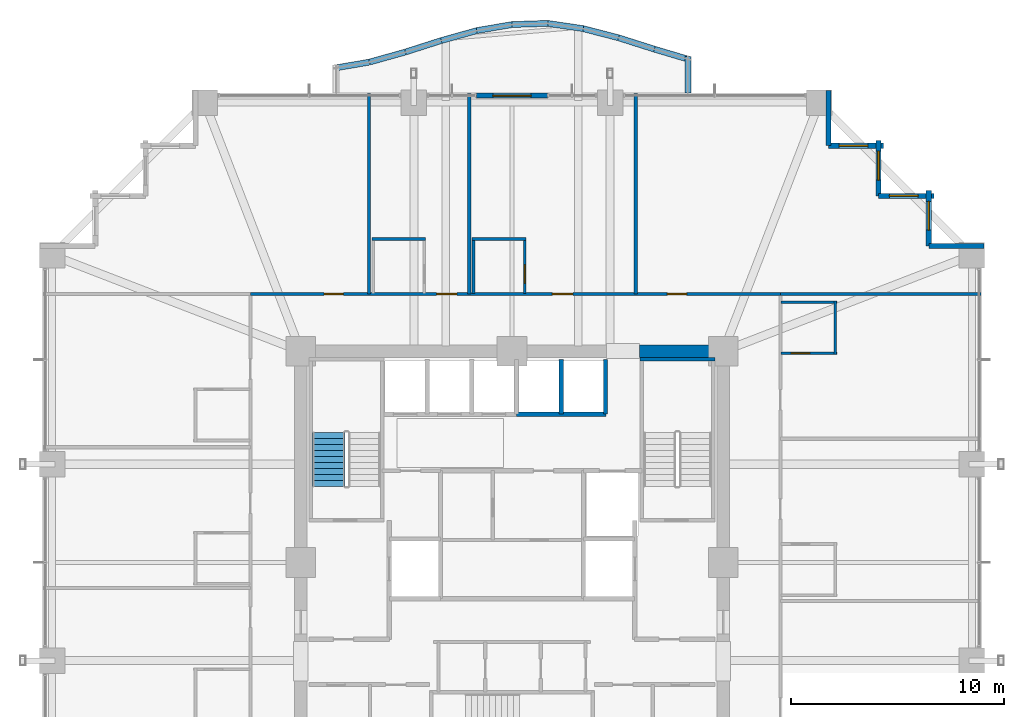
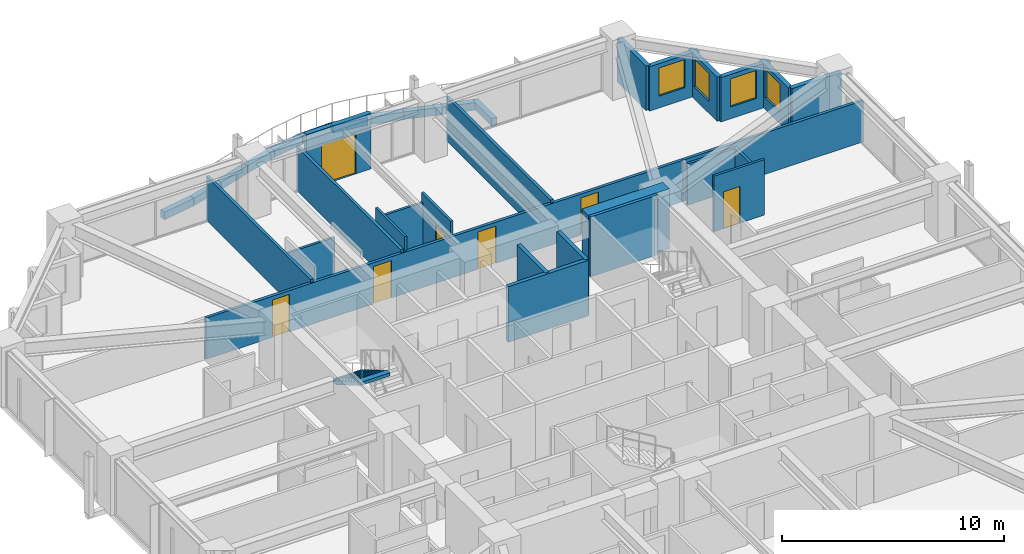
# One storey, part 35 of 38: 35 walls, 7 doors, 4 windows, 1 stair flight, 11 openings, 1 element without a shape of its own.
"""IFC4 building model written with IfcOpenShell, lengths in metres."""

from ifc_helpers import new_model, si_unit, direction, frame, frame_2d, origin, place, context, subcontext, project, spatial, polyline, rectangle, outline, extrude, material, layer, layer_set, type_object, element, fill, aggregate, save


model = new_model("IFC4")

# Units and contexts
model_context = context("Model", 3, precision=1e-05, world=origin(), true_north=direction((0.0, 1.0)))
body_context = subcontext(model_context, "Body", "Model", "MODEL_VIEW")
ifc_project = project(units=[si_unit("LENGTHUNIT", "METRE"), si_unit("AREAUNIT", "SQUARE_METRE"), si_unit("VOLUMEUNIT", "CUBIC_METRE"), si_unit("PLANEANGLEUNIT", "RADIAN"), si_unit("MASSUNIT", "GRAM", prefix="KILO")], contexts=[model_context])

# Site, building, storey
site_placement = place(None, origin())
site = spatial("IfcSite", under=ifc_project, at=site_placement, CompositionType="ELEMENT")
building_placement = place(site_placement, origin())
building = spatial("IfcBuilding", under=site, at=building_placement, Name="Kolvaren Belvedere", CompositionType="ELEMENT")
storey_placement = place(building_placement, frame((0.0, 0.0, 50.199951171875)))
storey = spatial("IfcBuildingStorey", under=building, at=storey_placement, Name="L14", CompositionType="ELEMENT", Elevation=50.199951171875)

# Walls
ifc_material_1 = material(Name="Concrete C60/75", Category="concrete")
ifc_layer_1 = layer(ifc_material_1, 0.60009765625)
ifc_layer_set_1 = layer_set([ifc_layer_1], Name="Concrete C60/75")
wall_type_1 = type_object("IfcWallType", Name="CW-CORE-600", PredefinedType="SHEAR", material=ifc_layer_set_1)
wall_1_placement = place(storey_placement, frame((5.97998046875, 9.89990234375, 0.0), z_axis=(0.0, 0.0, 1.0), x_axis=(1.0, 0.0, 0.0)))
element("IfcWall", 1, at=wall_1_placement, inside=storey, type_object=wall_type_1, Name="L14 North Core Shear Wall 2", PredefinedType="SHEAR", context=body_context, shape_type="SweptSolid", body=[
    extrude(rectangle(XDim=4.219970703125, YDim=0.60009765625, at=frame_2d((2.10986328125, 0.0))), origin(), (0.0, 0.0, 1.0), 3.300048828125),
])
ifc_material_2 = material(Name="Concrete C50/60", Category="concrete")
ifc_layer_2 = layer(ifc_material_2, 0.159912109375)
ifc_layer_set_2 = layer_set([ifc_layer_2], Name="Concrete C50/60")
wall_type_2 = type_object("IfcWallType", Name="CW-STAIR-160", PredefinedType="SHEAR", material=ifc_layer_set_2)
wall_2_placement = place(storey_placement, frame((6.0, 9.530029296875, 0.0), z_axis=(0.0, 0.0, 1.0), x_axis=(1.0, 0.0, 0.0)))
element("IfcWall", 2, at=wall_2_placement, inside=storey, type_object=wall_type_2, Name="L14 Stair ST-2 North Shear Wall", PredefinedType="SHEAR", context=body_context, shape_type="SweptSolid", body=[
    extrude(rectangle(XDim=3.52001953125, YDim=0.159912109375, at=frame_2d((1.760009765625, 0.0))), origin(), (0.0, 0.0, 1.0), 3.300048828125),
])

# Wall, openings, doors
ifc_material_3 = material(Name="Gypsum fire-rated partition assembly", Category="gypsum")
ifc_layer_3 = layer(ifc_material_3, 0.14990234375)
ifc_layer_set_3 = layer_set([ifc_layer_3], Name="Gypsum fire-rated partition assembly")
wall_type_3 = type_object("IfcWallType", Name="WL-CORR-150", PredefinedType="PARTITIONING", material=ifc_layer_set_3)
wall_3_placement = place(storey_placement, frame((-12.260009765625, 12.580078125, 0.0), z_axis=(0.0, 0.0, 1.0), x_axis=(1.0, 0.0, 0.0)))
wall_3 = element("IfcWall", 3, at=wall_3_placement, inside=storey, type_object=wall_type_3, Name="L14 North Corridor Wall", PredefinedType="PARTITIONING", context=body_context, shape_type="SweptSolid", body=[
    extrude(rectangle(XDim=24.840087890625, YDim=0.14990234375, at=frame_2d((12.419921875, 0.0))), origin(), (0.0, 0.0, 1.0), 2.27197265625),
])
opening_1_placement = place(wall_3_placement, frame((3.4619140625, 0.0, 0.0)))
opening_1 = element("IfcOpeningElement", 4, at=opening_1_placement, cuts=wall_3, Name="Opening D-INT90", PredefinedType="OPENING", context=body_context, shape_type="SweptSolid", body=[
    extrude(rectangle(XDim=0.89990234375, YDim=2.06005859375, at=frame_2d((0.449951171875, 1.030029296875))), frame((0.0, 0.0849609375, 0.0), z_axis=(0.0, -1.0, 0.0), x_axis=(1.0, 0.0, 0.0)), (0.0, 0.0, 1.0), 0.169921875),
])
opening_2_placement = place(wall_3_placement, frame((8.72314453125, 0.0, 0.0)))
opening_2 = element("IfcOpeningElement", 5, at=opening_2_placement, cuts=wall_3, Name="Opening D-FD60", PredefinedType="OPENING", context=body_context, shape_type="SweptSolid", body=[
    extrude(rectangle(XDim=0.949951171875, YDim=2.06005859375, at=frame_2d((0.47509765625, 1.030029296875))), frame((0.0, 0.0849609375, 0.0), z_axis=(0.0, -1.0, 0.0), x_axis=(1.0, 0.0, 0.0)), (0.0, 0.0, 1.0), 0.169921875),
])
opening_3_placement = place(wall_3_placement, frame((14.157470703125, 0.0, 0.0)))
opening_3 = element("IfcOpeningElement", 6, at=opening_3_placement, cuts=wall_3, Name="Opening D-FD60", PredefinedType="OPENING", context=body_context, shape_type="SweptSolid", body=[
    extrude(rectangle(XDim=0.949951171875, YDim=2.06005859375, at=frame_2d((0.47509765625, 1.030029296875))), frame((0.0, 0.0849609375, 0.0), z_axis=(0.0, -1.0, 0.0), x_axis=(1.0, 0.0, 0.0)), (0.0, 0.0, 1.0), 0.169921875),
])
opening_4_placement = place(wall_3_placement, frame((19.5419921875, 0.0, 0.0)))
opening_4 = element("IfcOpeningElement", 7, at=opening_4_placement, cuts=wall_3, Name="Opening D-INT90", PredefinedType="OPENING", context=body_context, shape_type="SweptSolid", body=[
    extrude(rectangle(XDim=0.89990234375, YDim=2.06005859375, at=frame_2d((0.449951171875, 1.030029296875))), frame((0.0, 0.0849609375, 0.0), z_axis=(0.0, -1.0, 0.0), x_axis=(1.0, 0.0, 0.0)), (0.0, 0.0, 1.0), 0.169921875),
])
ifc_material_4 = material(Name="Acoustic white-oak fire door leaf", Category="timber")
door_type_1 = type_object("IfcDoorType", Name="DR-FD60-950", OperationType="NOTDEFINED", PredefinedType="DOOR", material=ifc_material_4)
door_1_placement = place(opening_2_placement, origin())
door_1 = element("IfcDoor", 8, at=door_1_placement, inside=storey, type_object=door_type_1, Name="L14 Botanical Hospitality Suite 1413 Entry Door", OperationType="SINGLE_SWING_LEFT", OverallHeight=2.06005859375, OverallWidth=0.949951171875, PredefinedType="DOOR", context=body_context, shape_type="SweptSolid", body=[
    extrude(rectangle(XDim=0.949951171875, YDim=2.06005859375, at=frame_2d((0.47509765625, 1.030029296875))), frame((0.0, 0.02490234375, 0.0), z_axis=(0.0, -1.0, 0.0), x_axis=(1.0, 0.0, 0.0)), (0.0, 0.0, 1.0), 0.050048828125),
])
fill(opening_2, door_1)
door_2_placement = place(opening_3_placement, origin())
door_2 = element("IfcDoor", 9, at=door_2_placement, inside=storey, type_object=door_type_1, Name="L14 Botanical Hospitality Suite 1414 Entry Door", OperationType="SINGLE_SWING_LEFT", OverallHeight=2.06005859375, OverallWidth=0.949951171875, PredefinedType="DOOR", context=body_context, shape_type="SweptSolid", body=[
    extrude(rectangle(XDim=0.949951171875, YDim=2.06005859375, at=frame_2d((0.47509765625, 1.030029296875))), frame((0.0, 0.02490234375, 0.0), z_axis=(0.0, -1.0, 0.0), x_axis=(1.0, 0.0, 0.0)), (0.0, 0.0, 1.0), 0.050048828125),
])
fill(opening_3, door_2)
ifc_material_5 = material(Name="Stained Pacific white oak", Category="timber")
door_type_2 = type_object("IfcDoorType", Name="DR-INT-900", OperationType="NOTDEFINED", PredefinedType="DOOR", material=ifc_material_5)
door_3_placement = place(opening_1_placement, origin())
door_3 = element("IfcDoor", 10, at=door_3_placement, inside=storey, type_object=door_type_2, Name="L14 Lounge 1412 Door", OperationType="SINGLE_SWING_LEFT", OverallHeight=2.06005859375, OverallWidth=0.89990234375, PredefinedType="DOOR", context=body_context, shape_type="SweptSolid", body=[
    extrude(rectangle(XDim=0.89990234375, YDim=2.06005859375, at=frame_2d((0.449951171875, 1.030029296875))), frame((0.0, 0.02490234375, 0.0), z_axis=(0.0, -1.0, 0.0), x_axis=(1.0, 0.0, 0.0)), (0.0, 0.0, 1.0), 0.050048828125),
])
fill(opening_1, door_3)
door_4_placement = place(opening_4_placement, origin())
door_4 = element("IfcDoor", 11, at=door_4_placement, inside=storey, type_object=door_type_2, Name="L14 Lounge 1415 Door", OperationType="SINGLE_SWING_RIGHT", OverallHeight=2.06005859375, OverallWidth=0.89990234375, PredefinedType="DOOR", context=body_context, shape_type="SweptSolid", body=[
    extrude(rectangle(XDim=0.89990234375, YDim=2.06005859375, at=frame_2d((0.449951171875, 1.030029296875))), frame((0.0, 0.02490234375, 0.0), z_axis=(0.0, -1.0, 0.0), x_axis=(1.0, 0.0, 0.0)), (0.0, 0.0, 1.0), 0.050048828125),
])
fill(opening_4, door_4)

# Wall
ifc_material_6 = material(Name="Insulated pale-metal facade wall assembly", Category="aluminium")
ifc_layer_4 = layer(ifc_material_6, 0.239990234375)
ifc_layer_set_4 = layer_set([ifc_layer_4], Name="Insulated pale-metal facade wall assembly")
wall_type_4 = type_object("IfcWallType", Name="WL-EXT-240", PredefinedType="STANDARD", material=ifc_layer_set_4)
wall_4_placement = place(storey_placement, frame((19.530029296875, 14.830078125, 0.0), z_axis=(0.0, 0.0, 1.0), x_axis=(1.0, 0.0, 0.0)))
element("IfcWall", 12, at=wall_4_placement, inside=storey, type_object=wall_type_4, Name="L14 Serrated Corner Facade Wall 9", PredefinedType="STANDARD", context=body_context, shape_type="SweptSolid", body=[
    extrude(rectangle(XDim=2.590087890625, YDim=0.239990234375, at=frame_2d((1.294921875, 0.0))), origin(), (0.0, 0.0, 1.0), 2.43896484375),
])

# Wall, opening, window
wall_5_placement = place(storey_placement, frame((19.530029296875, 17.419921875, 0.0), z_axis=(0.0, 0.0, 1.0), x_axis=(0.0, -1.0, 0.0)))
wall_5 = element("IfcWall", 13, at=wall_5_placement, inside=storey, type_object=wall_type_4, Name="L14 Serrated Corner Facade Wall 10", PredefinedType="STANDARD", context=body_context, shape_type="SweptSolid", body=[
    extrude(rectangle(XDim=2.58984375, YDim=0.239990234375, at=frame_2d((1.294921875, 0.0))), origin(), (0.0, 0.0, 1.0), 2.43896484375),
])
opening_5_placement = place(wall_5_placement, frame((0.5, 0.0, 0.64990234375)))
opening_5 = element("IfcOpeningElement", 14, at=opening_5_placement, cuts=wall_5, Name="Opening W-1350", PredefinedType="OPENING", context=body_context, shape_type="SweptSolid", body=[
    extrude(rectangle(XDim=1.35009765625, YDim=1.550048828125, at=frame_2d((0.675048828125, 0.77490234375))), frame((0.0, 0.1298828125, 0.0), z_axis=(0.0, -1.0, 0.0), x_axis=(1.0, 0.0, 0.0)), (0.0, 0.0, 1.0), 0.260009765625),
])
ifc_material_7 = material(Name="Low-iron triple insulated glass", Category="glass")
window_type = type_object("IfcWindowType", Name="WN-CORN-1350", PartitioningType="SINGLE_PANEL", PredefinedType="WINDOW", material=ifc_material_7)
window_1_placement = place(opening_5_placement, origin())
window_1 = element("IfcWindow", 15, at=window_1_placement, inside=storey, type_object=window_type, Name="L14 Serrated Corner Vision Window 10", OverallHeight=1.550048828125, OverallWidth=1.35009765625, PartitioningType="SINGLE_PANEL", PredefinedType="WINDOW", context=body_context, shape_type="SweptSolid", body=[
    extrude(rectangle(XDim=1.35009765625, YDim=1.550048828125, at=frame_2d((0.675048828125, 0.77490234375))), frame((0.0, 0.030029296875, 0.0), z_axis=(0.0, -1.0, 0.0), x_axis=(1.0, 0.0, 0.0)), (0.0, 0.0, 1.0), 0.06005859375),
])
fill(opening_5, window_1)

wall_6_placement = place(storey_placement, frame((17.179931640625, 17.179931640625, 0.0), z_axis=(0.0, 0.0, 1.0), x_axis=(1.0, 0.0, 0.0)))
wall_6 = element("IfcWall", 16, at=wall_6_placement, inside=storey, type_object=wall_type_4, Name="L14 Serrated Corner Facade Wall 11", PredefinedType="STANDARD", context=body_context, shape_type="SweptSolid", body=[
    extrude(rectangle(XDim=2.590087890625, YDim=0.239990234375, at=frame_2d((1.294921875, 0.0))), origin(), (0.0, 0.0, 1.0), 2.43896484375),
])
opening_6_placement = place(wall_6_placement, frame((0.5, 0.0, 0.64990234375)))
opening_6 = element("IfcOpeningElement", 17, at=opening_6_placement, cuts=wall_6, Name="Opening W-1350", PredefinedType="OPENING", context=body_context, shape_type="SweptSolid", body=[
    extrude(rectangle(XDim=1.35009765625, YDim=1.550048828125, at=frame_2d((0.675048828125, 0.77490234375))), frame((0.0, 0.1298828125, 0.0), z_axis=(0.0, -1.0, 0.0), x_axis=(1.0, 0.0, 0.0)), (0.0, 0.0, 1.0), 0.260009765625),
])
window_2_placement = place(opening_6_placement, origin())
window_2 = element("IfcWindow", 18, at=window_2_placement, inside=storey, type_object=window_type, Name="L14 Serrated Corner Vision Window 11", OverallHeight=1.550048828125, OverallWidth=1.35009765625, PartitioningType="SINGLE_PANEL", PredefinedType="WINDOW", context=body_context, shape_type="SweptSolid", body=[
    extrude(rectangle(XDim=1.35009765625, YDim=1.550048828125, at=frame_2d((0.675048828125, 0.77490234375))), frame((0.0, 0.030029296875, 0.0), z_axis=(0.0, -1.0, 0.0), x_axis=(1.0, 0.0, 0.0)), (0.0, 0.0, 1.0), 0.06005859375),
])
fill(opening_6, window_2)

wall_7_placement = place(storey_placement, frame((17.179931640625, 19.77001953125, 0.0), z_axis=(0.0, 0.0, 1.0), x_axis=(0.0, -1.0, 0.0)))
wall_7 = element("IfcWall", 19, at=wall_7_placement, inside=storey, type_object=wall_type_4, Name="L14 Serrated Corner Facade Wall 12", PredefinedType="STANDARD", context=body_context, shape_type="SweptSolid", body=[
    extrude(rectangle(XDim=2.590087890625, YDim=0.239990234375, at=frame_2d((1.294921875, 0.0))), origin(), (0.0, 0.0, 1.0), 2.43896484375),
])
opening_7_placement = place(wall_7_placement, frame((0.5, 0.0, 0.64990234375)))
opening_7 = element("IfcOpeningElement", 20, at=opening_7_placement, cuts=wall_7, Name="Opening W-1350", PredefinedType="OPENING", context=body_context, shape_type="SweptSolid", body=[
    extrude(rectangle(XDim=1.35009765625, YDim=1.550048828125, at=frame_2d((0.675048828125, 0.77490234375))), frame((0.0, 0.1298828125, 0.0), z_axis=(0.0, -1.0, 0.0), x_axis=(1.0, 0.0, 0.0)), (0.0, 0.0, 1.0), 0.260009765625),
])
window_3_placement = place(opening_7_placement, origin())
window_3 = element("IfcWindow", 21, at=window_3_placement, inside=storey, type_object=window_type, Name="L14 Serrated Corner Vision Window 12", OverallHeight=1.550048828125, OverallWidth=1.35009765625, PartitioningType="SINGLE_PANEL", PredefinedType="WINDOW", context=body_context, shape_type="SweptSolid", body=[
    extrude(rectangle(XDim=1.35009765625, YDim=1.550048828125, at=frame_2d((0.675048828125, 0.77490234375))), frame((0.0, 0.030029296875, 0.0), z_axis=(0.0, -1.0, 0.0), x_axis=(1.0, 0.0, 0.0)), (0.0, 0.0, 1.0), 0.06005859375),
])
fill(opening_7, window_3)

wall_8_placement = place(storey_placement, frame((14.830078125, 19.530029296875, 0.0), z_axis=(0.0, 0.0, 1.0), x_axis=(1.0, 0.0, 0.0)))
wall_8 = element("IfcWall", 22, at=wall_8_placement, inside=storey, type_object=wall_type_4, Name="L14 Serrated Corner Facade Wall 13", PredefinedType="STANDARD", context=body_context, shape_type="SweptSolid", body=[
    extrude(rectangle(XDim=2.58984375, YDim=0.239990234375, at=frame_2d((1.294921875, 0.0))), origin(), (0.0, 0.0, 1.0), 2.43896484375),
])
opening_8_placement = place(wall_8_placement, frame((0.5, 0.0, 0.64990234375)))
opening_8 = element("IfcOpeningElement", 23, at=opening_8_placement, cuts=wall_8, Name="Opening W-1350", PredefinedType="OPENING", context=body_context, shape_type="SweptSolid", body=[
    extrude(rectangle(XDim=1.35009765625, YDim=1.550048828125, at=frame_2d((0.675048828125, 0.77490234375))), frame((0.0, 0.1298828125, 0.0), z_axis=(0.0, -1.0, 0.0), x_axis=(1.0, 0.0, 0.0)), (0.0, 0.0, 1.0), 0.260009765625),
])
window_4_placement = place(opening_8_placement, origin())
window_4 = element("IfcWindow", 24, at=window_4_placement, inside=storey, type_object=window_type, Name="L14 Serrated Corner Vision Window 13", OverallHeight=1.550048828125, OverallWidth=1.35009765625, PartitioningType="SINGLE_PANEL", PredefinedType="WINDOW", context=body_context, shape_type="SweptSolid", body=[
    extrude(rectangle(XDim=1.35009765625, YDim=1.550048828125, at=frame_2d((0.675048828125, 0.77490234375))), frame((0.0, 0.030029296875, 0.0), z_axis=(0.0, -1.0, 0.0), x_axis=(1.0, 0.0, 0.0)), (0.0, 0.0, 1.0), 0.06005859375),
])
fill(opening_8, window_4)

# Wall
wall_9_placement = place(storey_placement, frame((14.830078125, 22.1201171875, 0.0), z_axis=(0.0, 0.0, 1.0), x_axis=(0.0, -1.0, 0.0)))
element("IfcWall", 25, at=wall_9_placement, inside=storey, type_object=wall_type_4, Name="L14 Serrated Corner Facade Wall 14", PredefinedType="STANDARD", context=body_context, shape_type="SweptSolid", body=[
    extrude(rectangle(XDim=2.590087890625, YDim=0.239990234375, at=frame_2d((1.294921875, 0.0))), origin(), (0.0, 0.0, 1.0), 2.43896484375),
])

# Wall, opening, door
wall_10_placement = place(storey_placement, frame((-1.679931640625, 21.8798828125, 0.0), z_axis=(0.0, 0.0, 1.0), x_axis=(1.0, 0.0, 0.0)))
wall_10 = element("IfcWall", 26, at=wall_10_placement, inside=storey, type_object=wall_type_4, Name="L14 North Terrace Portal Wall", PredefinedType="STANDARD", context=body_context, shape_type="SweptSolid", body=[
    extrude(rectangle(XDim=3.35986328125, YDim=0.239990234375, at=frame_2d((1.679931640625, 0.0))), origin(), (0.0, 0.0, 1.0), 3.06005859375),
])
opening_9_placement = place(wall_10_placement, frame((0.780029296875, 0.0, 0.0)))
opening_9 = element("IfcOpeningElement", 27, at=opening_9_placement, cuts=wall_10, Name="Opening DB-1800", PredefinedType="OPENING", context=body_context, shape_type="SweptSolid", body=[
    extrude(rectangle(XDim=1.800048828125, YDim=2.199951171875, at=frame_2d((0.89990234375, 1.10009765625))), frame((0.0, 0.1298828125, 0.0), z_axis=(0.0, -1.0, 0.0), x_axis=(1.0, 0.0, 0.0)), (0.0, 0.0, 1.0), 0.260009765625),
])
ifc_material_8 = material(Name="Thermally broken pale-metal aluminium & low-iron glass", Category="aluminium")
door_type_3 = type_object("IfcDoorType", Name="DR-BAL-1800", OperationType="DOUBLE_DOOR_SLIDING", PredefinedType="DOOR", material=ifc_material_8)
door_5_placement = place(opening_9_placement, origin())
door_5 = element("IfcDoor", 28, at=door_5_placement, inside=storey, type_object=door_type_3, Name="L14 North Planted Terrace Sliding Door", OperationType="DOUBLE_DOOR_SLIDING", OverallHeight=2.199951171875, OverallWidth=1.800048828125, PredefinedType="DOOR", context=body_context, shape_type="SweptSolid", body=[
    extrude(rectangle(XDim=1.800048828125, YDim=2.199951171875, at=frame_2d((0.89990234375, 1.10009765625))), frame((0.0, 0.02490234375, 0.0), z_axis=(0.0, -1.0, 0.0), x_axis=(1.0, 0.0, 0.0)), (0.0, 0.0, 1.0), 0.050048828125),
])
fill(opening_9, door_5)

# Walls
ifc_material_9 = material(Name="Gypsum acoustic partition assembly", Category="gypsum")
ifc_layer_5 = layer(ifc_material_9, 0.14990234375)
ifc_layer_set_5 = layer_set([ifc_layer_5], Name="Gypsum acoustic partition assembly")
wall_type_5 = type_object("IfcWallType", Name="WL-PART-150", PredefinedType="PARTITIONING", material=ifc_layer_set_5)
wall_11_placement = place(storey_placement, frame((12.580078125, 12.580078125, 0.0), z_axis=(0.0, 0.0, 1.0), x_axis=(1.0, 0.0, 0.0)))
element("IfcWall", 29, at=wall_11_placement, inside=storey, type_object=wall_type_5, Name="L14 Wing Divider PW-L14-QNE", PredefinedType="PARTITIONING", context=body_context, shape_type="SweptSolid", body=[
    extrude(rectangle(XDim=9.39990234375, YDim=0.14990234375, at=frame_2d((4.699951171875, 0.0))), origin(), (0.0, 0.0, 1.0), 2.27197265625),
])
for number, where, z_axis, x_axis, name in (
    (30, (-6.699951171875, 12.580078125, 0.0), (0.0, 0.0, 1.0), (0.0, 1.0, 0.0), "L14 North Suite Demising Wall 1"),
    (31, (-2.0, 12.580078125, 0.0), (0.0, 0.0, 1.0), (0.0, 1.0, 0.0), "L14 North Suite Demising Wall 2"),
    (32, (5.800048828125, 12.580078125, 0.0), (0.0, 0.0, 1.0), (0.0, 1.0, 0.0), "L14 North Suite Demising Wall 3"),
):
    element("IfcWall", number, at=place(storey_placement, frame(where, z_axis=z_axis, x_axis=x_axis)), inside=storey, type_object=wall_type_5, Name=name, PredefinedType="PARTITIONING", context=body_context, shape_type="SweptSolid", body=[
        extrude(rectangle(XDim=9.39990234375, YDim=0.14990234375, at=frame_2d((4.699951171875, 0.0))), origin(), (0.0, 0.0, 1.0), 2.428955078125),
    ])
ifc_material_10 = material(Name="Precast concrete C40/50", Category="concrete")
ifc_layer_6 = layer(ifc_material_10, 0.300048828125)
ifc_layer_set_6 = layer_set([ifc_layer_6], Name="Precast concrete C40/50")
wall_type_6 = type_object("IfcWallType", Name="WL-PLANTER-300", PredefinedType="PARAPET", material=ifc_layer_set_6)
wall_12_placement = place(storey_placement, frame((8.239990234375, 22.0, -0.06005859375), z_axis=(0.0, 0.0, 1.0), x_axis=(0.0, 1.0, 0.0)))
element("IfcWall", 33, at=wall_12_placement, inside=storey, type_object=wall_type_6, Name="L14 Precast Structural Planter Wall BAL-N-11", PredefinedType="PARAPET", context=body_context, shape_type="SweptSolid", body=[
    extrude(rectangle(XDim=1.705078125, YDim=0.280029296875, at=frame_2d((0.8525390625, 0.0))), origin(), (0.0, 0.0, 1.0), 0.420166015625),
])
wall_13_placement = place(storey_placement, frame((8.3544921875, 23.5517578125, -0.06005859375), z_axis=(0.0, 0.0, 1.0), x_axis=(-0.958536356279, 0.284970268083, 0.0)))
element("IfcWall", 34, at=wall_13_placement, inside=storey, type_object=wall_type_6, Name="L14 Precast Structural Planter Wall BAL-N-12", PredefinedType="PARAPET", context=body_context, shape_type="SweptSolid", body=[
    extrude(rectangle(XDim=1.7529296875, YDim=0.280029296875, at=frame_2d((0.87646484375, 0.0))), origin(), (0.0, 0.0, 1.0), 0.420166015625),
])
wall_14_placement = place(storey_placement, frame((6.671630859375, 24.052001953125, -0.06005859375), z_axis=(0.0, 0.0, 1.0), x_axis=(-0.953142020151, 0.302523204768, 0.0)))
element("IfcWall", 35, at=wall_14_placement, inside=storey, type_object=wall_type_6, Name="L14 Precast Structural Planter Wall BAL-N-13", PredefinedType="PARAPET", context=body_context, shape_type="SweptSolid", body=[
    extrude(rectangle(XDim=1.762451171875, YDim=0.280029296875, at=frame_2d((0.88134765625, 0.0))), origin(), (0.0, 0.0, 1.0), 0.420166015625),
])
wall_15_placement = place(storey_placement, frame((5.0, 24.582763671875, -0.06005859375), z_axis=(0.0, 0.0, 1.0), x_axis=(-0.968141031826, 0.250405556038, 0.0)))
element("IfcWall", 36, at=wall_15_placement, inside=storey, type_object=wall_type_6, Name="L14 Precast Structural Planter Wall BAL-N-14", PredefinedType="PARAPET", context=body_context, shape_type="SweptSolid", body=[
    extrude(rectangle(XDim=1.7353515625, YDim=0.280029296875, at=frame_2d((0.86767578125, 0.0))), origin(), (0.0, 0.0, 1.0), 0.420166015625),
])
wall_16_placement = place(storey_placement, frame((3.336669921875, 25.013916015625, -0.06005859375), z_axis=(0.0, 0.0, 1.0), x_axis=(-0.989295127716, 0.145928579368, 0.0)))
element("IfcWall", 37, at=wall_16_placement, inside=storey, type_object=wall_type_6, Name="L14 Precast Structural Planter Wall BAL-N-15", PredefinedType="PARAPET", context=body_context, shape_type="SweptSolid", body=[
    extrude(rectangle(XDim=1.697998046875, YDim=0.280029296875, at=frame_2d((0.84912109375, 0.0))), origin(), (0.0, 0.0, 1.0), 0.420166015625),
])
wall_17_placement = place(storey_placement, frame((1.68505859375, 25.260009765625, -0.06005859375), z_axis=(0.0, 0.0, 1.0), x_axis=(-0.999507816048, -0.031370777138, 0.0)))
element("IfcWall", 38, at=wall_17_placement, inside=storey, type_object=wall_type_6, Name="L14 Precast Structural Planter Wall BAL-N-16", PredefinedType="PARAPET", context=body_context, shape_type="SweptSolid", body=[
    extrude(rectangle(XDim=1.680908203125, YDim=0.280029296875, at=frame_2d((0.84033203125, 0.0))), origin(), (0.0, 0.0, 1.0), 0.420166015625),
])
wall_18_placement = place(storey_placement, frame((0.027099609375, 25.20947265625, -0.06005859375), z_axis=(0.0, 0.0, 1.0), x_axis=(-0.985640648378, -0.168856484225, 0.0)))
element("IfcWall", 39, at=wall_18_placement, inside=storey, type_object=wall_type_6, Name="L14 Precast Structural Planter Wall BAL-N-17", PredefinedType="PARAPET", context=body_context, shape_type="SweptSolid", body=[
    extrude(rectangle(XDim=1.70458984375, YDim=0.280029296875, at=frame_2d((0.852294921875, 0.0))), origin(), (0.0, 0.0, 1.0), 0.420166015625),
])
wall_19_placement = place(storey_placement, frame((-1.63671875, 24.92529296875, -0.06005859375), z_axis=(0.0, 0.0, 1.0), x_axis=(-0.962926227834, -0.269764860108, 0.0)))
element("IfcWall", 40, at=wall_19_placement, inside=storey, type_object=wall_type_6, Name="L14 Precast Structural Planter Wall BAL-N-18", PredefinedType="PARAPET", context=body_context, shape_type="SweptSolid", body=[
    extrude(rectangle(XDim=1.744873046875, YDim=0.280029296875, at=frame_2d((0.87255859375, 0.0))), origin(), (0.0, 0.0, 1.0), 0.420166015625),
])
wall_20_placement = place(storey_placement, frame((-3.311279296875, 24.456298828125, -0.06005859375), z_axis=(0.0, 0.0, 1.0), x_axis=(-0.952461105499, -0.304660208284, 0.0)))
element("IfcWall", 41, at=wall_20_placement, inside=storey, type_object=wall_type_6, Name="L14 Precast Structural Planter Wall BAL-N-19", PredefinedType="PARAPET", context=body_context, shape_type="SweptSolid", body=[
    extrude(rectangle(XDim=1.763671875, YDim=0.280029296875, at=frame_2d((0.8818359375, 0.0))), origin(), (0.0, 0.0, 1.0), 0.420166015625),
])
wall_21_placement = place(storey_placement, frame((-4.996826171875, 23.917236328125, -0.06005859375), z_axis=(0.0, 0.0, 1.0), x_axis=(-0.962916043401, -0.269801210823, 0.0)))
element("IfcWall", 42, at=wall_21_placement, inside=storey, type_object=wall_type_6, Name="L14 Precast Structural Planter Wall BAL-N-20", PredefinedType="PARAPET", context=body_context, shape_type="SweptSolid", body=[
    extrude(rectangle(XDim=1.74462890625, YDim=0.280029296875, at=frame_2d((0.872314453125, 0.0))), origin(), (0.0, 0.0, 1.0), 0.420166015625),
])
wall_22_placement = place(storey_placement, frame((-6.693115234375, 23.443115234375, -0.06005859375), z_axis=(0.0, 0.0, 1.0), x_axis=(-0.985636563949, -0.16888032392, 0.0)))
element("IfcWall", 43, at=wall_22_placement, inside=storey, type_object=wall_type_6, Name="L14 Precast Structural Planter Wall BAL-N-21", PredefinedType="PARAPET", context=body_context, shape_type="SweptSolid", body=[
    extrude(rectangle(XDim=1.704345703125, YDim=0.280029296875, at=frame_2d((0.85205078125, 0.0))), origin(), (0.0, 0.0, 1.0), 0.420166015625),
])
ifc_material_11 = material(Name="Concrete C50/60", Category="concrete")
ifc_layer_7 = layer(ifc_material_11, 0.199951171875)
ifc_layer_set_7 = layer_set([ifc_layer_7], Name="Concrete C50/60")
wall_type_7 = type_object("IfcWallType", Name="WL-SHAFT-200", PredefinedType="SOLIDWALL", material=ifc_layer_set_7)
wall_23_placement = place(storey_placement, frame((0.219970703125, 6.949951171875, 0.0), z_axis=(0.0, 0.0, 1.0), x_axis=(1.0, 0.0, 0.0)))
element("IfcWall", 44, at=wall_23_placement, inside=storey, type_object=wall_type_7, Name="L14 Express Shuttle Hoistway Wall", PredefinedType="SOLIDWALL", context=body_context, shape_type="SweptSolid", body=[
    extrude(rectangle(XDim=4.179931640625, YDim=0.199951171875, at=frame_2d((2.08984375, 0.0))), origin(), (0.0, 0.0, 1.0), 3.06005859375),
])
for number, where, z_axis, x_axis, name in (
    (45, (4.3798828125, 6.949951171875, 0.0), (0.0, 0.0, 1.0), (0.0, 1.0, 0.0), "L14 Express Shuttle East Wall"),
    (46, (2.31005859375, 6.949951171875, 0.0), (0.0, 0.0, 1.0), (0.0, 1.0, 0.0), "L14 Express Shuttle Divider"),
):
    element("IfcWall", number, at=place(storey_placement, frame(where, z_axis=z_axis, x_axis=x_axis)), inside=storey, type_object=wall_type_7, Name=name, PredefinedType="SOLIDWALL", context=body_context, shape_type="SweptSolid", body=[
        extrude(rectangle(XDim=2.570068359375, YDim=0.199951171875, at=frame_2d((1.28515625, 0.0))), origin(), (0.0, 0.0, 1.0), 3.06005859375),
    ])

# Wall, opening, door
ifc_material_12 = material(Name="Moisture-resistant gypsum partition", Category="gypsum")
ifc_layer_8 = layer(ifc_material_12, 0.125)
ifc_layer_set_8 = layer_set([ifc_layer_8], Name="Moisture-resistant gypsum partition")
wall_type_8 = type_object("IfcWallType", Name="WL-WET-125", PredefinedType="PARTITIONING", material=ifc_layer_set_8)
wall_24_placement = place(storey_placement, frame((12.594970703125, 9.801025390625, 0.0), z_axis=(0.0, 0.0, 1.0), x_axis=(1.0, 0.0, 0.0)))
wall_24 = element("IfcWall", 47, at=wall_24_placement, inside=storey, type_object=wall_type_8, Name="L14 Bathroom Partition PW-L14-BTH-7-N", PredefinedType="PARTITIONING", context=body_context, shape_type="SweptSolid", body=[
    extrude(rectangle(XDim=2.64013671875, YDim=0.125, at=frame_2d((1.320068359375, 0.0))), origin(), (0.0, 0.0, 1.0), 3.06005859375),
])
opening_10_placement = place(wall_24_placement, frame((0.5, 0.0, 0.0)))
opening_10 = element("IfcOpeningElement", 48, at=opening_10_placement, cuts=wall_24, Name="Opening D-BTH85", PredefinedType="OPENING", context=body_context, shape_type="SweptSolid", body=[
    extrude(rectangle(XDim=0.85009765625, YDim=2.030029296875, at=frame_2d((0.425048828125, 1.01513671875))), frame((0.0, 0.072509765625, 0.0), z_axis=(0.0, -1.0, 0.0), x_axis=(1.0, 0.0, 0.0)), (0.0, 0.0, 1.0), 0.14501953125),
])
ifc_material_13 = material(Name="Moisture-sealed Pacific white oak", Category="timber")
door_type_4 = type_object("IfcDoorType", Name="DR-BATH-850", OperationType="NOTDEFINED", PredefinedType="DOOR", material=ifc_material_13)
door_6_placement = place(opening_10_placement, origin())
door_6 = element("IfcDoor", 49, at=door_6_placement, inside=storey, type_object=door_type_4, Name="L14 En-Suite Bathroom 1407 Door", OperationType="SINGLE_SWING_LEFT", OverallHeight=2.030029296875, OverallWidth=0.85009765625, PredefinedType="DOOR", context=body_context, shape_type="SweptSolid", body=[
    extrude(rectangle(XDim=0.85009765625, YDim=2.030029296875, at=frame_2d((0.425048828125, 1.01513671875))), frame((0.0, 0.02490234375, 0.0), z_axis=(0.0, -1.0, 0.0), x_axis=(1.0, 0.0, 0.0)), (0.0, 0.0, 1.0), 0.050048828125),
])
fill(opening_10, door_6)

# Walls
wall_25_placement = place(storey_placement, frame((15.155029296875, 9.740966796875, 0.0), z_axis=(0.0, 0.0, 1.0), x_axis=(0.0, 1.0, 0.0)))
element("IfcWall", 50, at=wall_25_placement, inside=storey, type_object=wall_type_8, Name="L14 Bathroom Partition PW-L14-BTH-7-V", PredefinedType="PARTITIONING", context=body_context, shape_type="SweptSolid", body=[
    extrude(rectangle(XDim=2.52001953125, YDim=0.125, at=frame_2d((1.260009765625, 0.0))), origin(), (0.0, 0.0, 1.0), 2.27197265625),
])
wall_26_placement = place(storey_placement, frame((12.594970703125, 12.200927734375, 0.0), z_axis=(0.0, 0.0, 1.0), x_axis=(1.0, 0.0, 0.0)))
element("IfcWall", 51, at=wall_26_placement, inside=storey, type_object=wall_type_8, Name="L14 Bathroom Partition PW-L14-BTH-7-S", PredefinedType="PARTITIONING", context=body_context, shape_type="SweptSolid", body=[
    extrude(rectangle(XDim=2.64013671875, YDim=0.125, at=frame_2d((1.320068359375, 0.0))), origin(), (0.0, 0.0, 1.0), 2.27197265625),
])
wall_27_placement = place(storey_placement, frame((-6.56494140625, 15.155029296875, 0.0), z_axis=(0.0, 0.0, 1.0), x_axis=(1.0, 0.0, 0.0)))
element("IfcWall", 52, at=wall_27_placement, inside=storey, type_object=wall_type_8, Name="L14 Bathroom Partition PW-L14-BTH-13-H", PredefinedType="PARTITIONING", context=body_context, shape_type="SweptSolid", body=[
    extrude(rectangle(XDim=2.52001953125, YDim=0.125, at=frame_2d((1.260009765625, 0.0))), origin(), (0.0, 0.0, 1.0), 2.27197265625),
])

# Wall, opening, door
wall_28_placement = place(storey_placement, frame((0.594970703125, 12.594970703125, 0.0), z_axis=(0.0, 0.0, 1.0), x_axis=(0.0, 1.0, 0.0)))
wall_28 = element("IfcWall", 53, at=wall_28_placement, inside=storey, type_object=wall_type_8, Name="L14 Bathroom Partition PW-L14-BTH-14-E", PredefinedType="PARTITIONING", context=body_context, shape_type="SweptSolid", body=[
    extrude(rectangle(XDim=2.64013671875, YDim=0.125, at=frame_2d((1.320068359375, 0.0))), origin(), (0.0, 0.0, 1.0), 3.06005859375),
])
opening_11_placement = place(wall_28_placement, frame((0.5, 0.0, 0.0)))
opening_11 = element("IfcOpeningElement", 54, at=opening_11_placement, cuts=wall_28, Name="Opening D-BTH85", PredefinedType="OPENING", context=body_context, shape_type="SweptSolid", body=[
    extrude(rectangle(XDim=0.85009765625, YDim=2.030029296875, at=frame_2d((0.425048828125, 1.01513671875))), frame((0.0, 0.072509765625, 0.0), z_axis=(0.0, -1.0, 0.0), x_axis=(1.0, 0.0, 0.0)), (0.0, 0.0, 1.0), 0.14501953125),
])
door_7_placement = place(opening_11_placement, origin())
door_7 = element("IfcDoor", 55, at=door_7_placement, inside=storey, type_object=door_type_4, Name="L14 En-Suite Bathroom 1414 Door", OperationType="SINGLE_SWING_RIGHT", OverallHeight=2.030029296875, OverallWidth=0.85009765625, PredefinedType="DOOR", context=body_context, shape_type="SweptSolid", body=[
    extrude(rectangle(XDim=0.85009765625, YDim=2.030029296875, at=frame_2d((0.425048828125, 1.01513671875))), frame((0.0, 0.02490234375, 0.0), z_axis=(0.0, -1.0, 0.0), x_axis=(1.0, 0.0, 0.0)), (0.0, 0.0, 1.0), 0.050048828125),
])
fill(opening_11, door_7)

# Walls
wall_29_placement = place(storey_placement, frame((-1.864990234375, 15.155029296875, 0.0), z_axis=(0.0, 0.0, 1.0), x_axis=(1.0, 0.0, 0.0)))
element("IfcWall", 56, at=wall_29_placement, inside=storey, type_object=wall_type_8, Name="L14 Bathroom Partition PW-L14-BTH-14-H", PredefinedType="PARTITIONING", context=body_context, shape_type="SweptSolid", body=[
    extrude(rectangle(XDim=2.52001953125, YDim=0.125, at=frame_2d((1.260009765625, 0.0))), origin(), (0.0, 0.0, 1.0), 2.5849609375),
])
wall_30_placement = place(storey_placement, frame((-1.804931640625, 12.594970703125, 0.0), z_axis=(0.0, 0.0, 1.0), x_axis=(0.0, 1.0, 0.0)))
element("IfcWall", 57, at=wall_30_placement, inside=storey, type_object=wall_type_8, Name="L14 Bathroom Partition PW-L14-BTH-14-W", PredefinedType="PARTITIONING", context=body_context, shape_type="SweptSolid", body=[
    extrude(rectangle(XDim=2.64013671875, YDim=0.125, at=frame_2d((1.320068359375, 0.0))), origin(), (0.0, 0.0, 1.0), 3.06005859375),
])

# Stair, stair flight
ifc_material_14 = material(Name="Concrete C50/60", Category="concrete")
stair_type = type_object("IfcStairType", Name="ST-CORE-1520", PredefinedType="HALF_TURN_STAIR", material=ifc_material_14)
stair_placement = place(storey_placement, origin())
stair = element("IfcStair", 58, at=stair_placement, inside=storey, type_object=stair_type, Name="L14 Protected Exit Stair ST-1", PredefinedType="HALF_TURN_STAIR")
ifc_material_15 = material(Name="Concrete C50/60", Category="concrete")
stair_flight_type = type_object("IfcStairFlightType", Name="SF-STR-1520", PredefinedType="STRAIGHT", material=ifc_material_15)
stair_flight_placement = place(storey_placement, frame((-8.590087890625, 6.090087890625, 1.650146484375), z_axis=(0.0, 0.0, 1.0), x_axis=(0.0, -1.0, 0.0)))
stair_flight = element("IfcStairFlight", 59, at=stair_flight_placement, type_object=stair_flight_type, Name="ST-1 flight 2", NumberOfRisers=10, NumberOfTreads=9, PredefinedType="STRAIGHT", RiserHeight=0.165, TreadLength=0.28, context=body_context, shape_type="SweptSolid", body=[
    extrude(outline(polyline([(0.0, 0.0), (0.0, 0.1650390625), (0.280029296875, 0.1650390625), (0.280029296875, 0.330078125), (0.56005859375, 0.330078125), (0.56005859375, 0.4951171875), (0.840087890625, 0.4951171875), (0.840087890625, 0.659912109375), (1.1201171875, 0.659912109375), (1.1201171875, 0.824951171875), (1.39990234375, 0.824951171875), (1.39990234375, 0.989990234375), (1.679931640625, 0.989990234375), (1.679931640625, 1.155029296875), (1.9599609375, 1.155029296875), (1.9599609375, 1.320068359375), (2.239990234375, 1.320068359375), (2.239990234375, 1.485107421875), (2.52001953125, 1.485107421875), (2.52001953125, 1.64990234375), (2.52001953125, 1.31103515625), (0.295166015625, 0.0), (0.0, 0.0)])), frame((0.0, 0.760009765625, 0.0), z_axis=(0.0, -1.0, 0.0), x_axis=(1.0, 0.0, 0.0)), (0.0, 0.0, 1.0), 1.52001953125),
])
aggregate(stair, [stair_flight])

save(model, "model.ifc")
